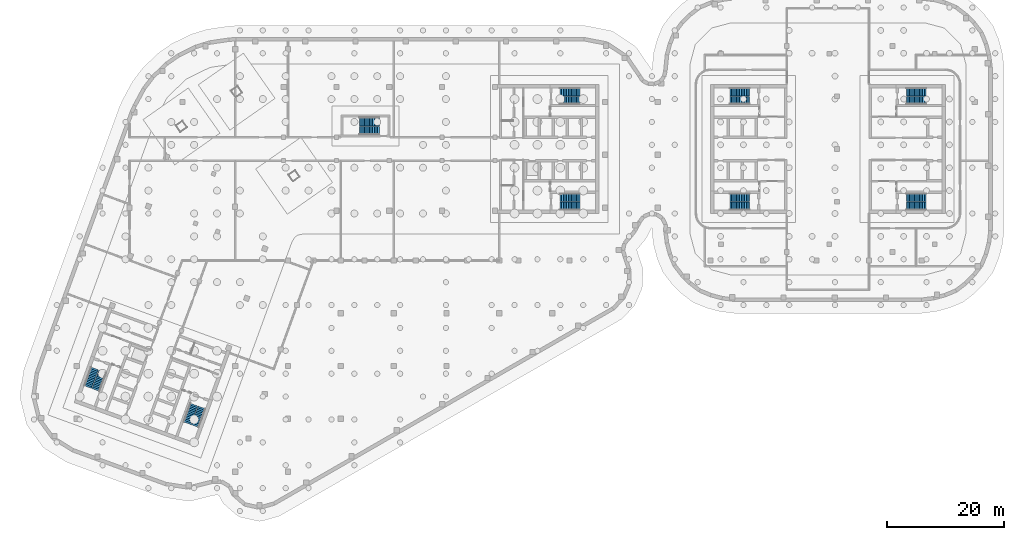
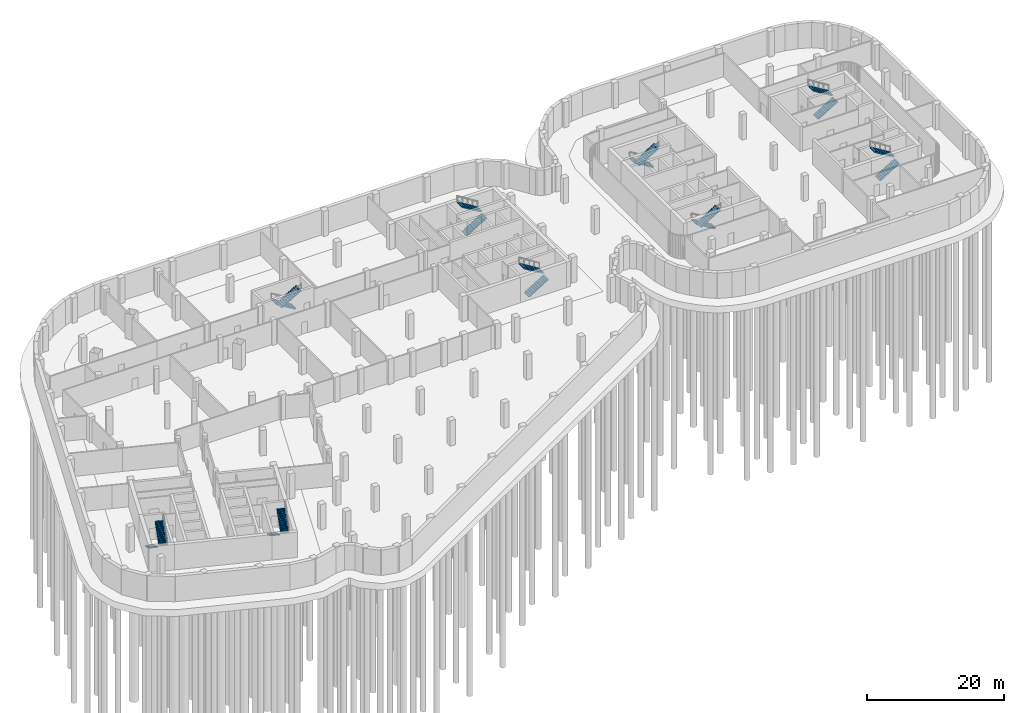
# One storey, part 15 of 18: 18 stair flights, 9 elements without a shape of their own.
"""IFC4 building model written with IfcOpenShell, lengths in metres."""

from ifc_helpers import new_model, si_unit, direction, frame, origin, place, context, subcontext, project, spatial, polyline, outline, extrude, material, type_object, element, aggregate, save


model = new_model("IFC4")

# Units and contexts
model_context = context("Model", 3, precision=1e-05, world=origin(), true_north=direction((0.0, 1.0)))
body_context = subcontext(model_context, "Body", "Model", "MODEL_VIEW")
ifc_project = project(units=[si_unit("LENGTHUNIT", "METRE"), si_unit("AREAUNIT", "SQUARE_METRE"), si_unit("VOLUMEUNIT", "CUBIC_METRE"), si_unit("PLANEANGLEUNIT", "RADIAN"), si_unit("MASSUNIT", "GRAM", prefix="KILO")], contexts=[model_context])

# Site, building, storey
site_placement = place(None, origin())
site = spatial("IfcSite", under=ifc_project, at=site_placement, CompositionType="ELEMENT")
building_placement = place(site_placement, origin())
building = spatial("IfcBuilding", under=site, at=building_placement, Name="Skarvind Civic Tower", CompositionType="ELEMENT")
storey_placement = place(building_placement, frame((0.0, 0.0, -9.0)))
storey = spatial("IfcBuildingStorey", under=building, at=storey_placement, Name="B2", CompositionType="ELEMENT", Elevation=-9.0)

# Stair, stair flights
ifc_material = material(Name="Concrete C40/50", Category="concrete")
stair_type_1 = type_object("IfcStairType", Name="Exit stair 1450, half-turn, concrete", PredefinedType="HALF_TURN_STAIR", material=ifc_material)
stair_1_placement = place(storey_placement, origin())
stair_1 = element("IfcStair", 1, at=stair_1_placement, inside=storey, type_object=stair_type_1, Name="Exit stair CM", PredefinedType="HALF_TURN_STAIR")
stair_flight_type_1 = type_object("IfcStairFlightType", Name="Stair flight 1450, concrete", PredefinedType="STRAIGHT", material=ifc_material)
stair_flight_1_placement = place(storey_placement, frame((70.550048828125, 132.675048828125, 0.0), z_axis=(0.0, 0.0, 1.0), x_axis=(-1.0, 0.0, 0.0)))
stair_flight_1 = element("IfcStairFlight", 2, at=stair_flight_1_placement, type_object=stair_flight_type_1, Name="ST-CM flight 1", NumberOfRisers=13, NumberOfTreads=12, PredefinedType="STRAIGHT", RiserHeight=0.173076923, TreadLength=0.28, context=body_context, shape_type="SweptSolid", body=[
    extrude(outline(polyline([(0.0, 0.0), (0.0, 0.173095703125), (0.280029296875, 0.173095703125), (0.280029296875, 0.34619140625), (0.56005859375, 0.34619140625), (0.56005859375, 0.519287109375), (0.840087890625, 0.519287109375), (0.840087890625, 0.6923828125), (1.1201171875, 0.6923828125), (1.1201171875, 0.865478515625), (1.39990234375, 0.865478515625), (1.39990234375, 1.03857421875), (1.679931640625, 1.03857421875), (1.679931640625, 1.21142578125), (1.9599609375, 1.21142578125), (1.9599609375, 1.384521484375), (2.239990234375, 1.384521484375), (2.239990234375, 1.5576171875), (2.52001953125, 1.5576171875), (2.52001953125, 1.730712890625), (2.800048828125, 1.730712890625), (2.800048828125, 1.90380859375), (3.080078125, 1.90380859375), (3.080078125, 2.076904296875), (3.360107421875, 2.076904296875), (3.360107421875, 2.25), (3.360107421875, 1.900634765625), (0.28515625, 0.0), (0.0, 0.0)])), frame((0.0, 0.72509765625, 0.0), z_axis=(0.0, -1.0, 0.0), x_axis=(1.0, 0.0, 0.0)), (0.0, 0.0, 1.0), 1.449951171875),
])
stair_flight_2_placement = place(storey_placement, frame((67.18994140625, 131.125, 2.25), z_axis=(0.0, 0.0, 1.0), x_axis=(1.0, 0.0, 0.0)))
stair_flight_2 = element("IfcStairFlight", 3, at=stair_flight_2_placement, type_object=stair_flight_type_1, Name="ST-CM flight 2", NumberOfRisers=13, NumberOfTreads=12, PredefinedType="STRAIGHT", RiserHeight=0.173076923, TreadLength=0.28, context=body_context, shape_type="SweptSolid", body=[
    extrude(outline(polyline([(0.0, 0.0), (0.0, 0.173095703125), (0.280029296875, 0.173095703125), (0.280029296875, 0.34619140625), (0.56005859375, 0.34619140625), (0.56005859375, 0.519287109375), (0.840087890625, 0.519287109375), (0.840087890625, 0.6923828125), (1.1201171875, 0.6923828125), (1.1201171875, 0.865478515625), (1.39990234375, 0.865478515625), (1.39990234375, 1.03857421875), (1.679931640625, 1.03857421875), (1.679931640625, 1.21142578125), (1.9599609375, 1.21142578125), (1.9599609375, 1.384521484375), (2.239990234375, 1.384521484375), (2.239990234375, 1.5576171875), (2.52001953125, 1.5576171875), (2.52001953125, 1.730712890625), (2.800048828125, 1.730712890625), (2.800048828125, 1.90380859375), (3.080078125, 1.90380859375), (3.080078125, 2.076904296875), (3.360107421875, 2.076904296875), (3.360107421875, 2.25), (3.360107421875, 1.900634765625), (0.28515625, 0.0), (0.0, 0.0)])), frame((0.0, 0.72509765625, 0.0), z_axis=(0.0, -1.0, 0.0), x_axis=(1.0, 0.0, 0.0)), (0.0, 0.0, 1.0), 1.449951171875),
])
aggregate(stair_1, [stair_flight_1, stair_flight_2])

stair_type_2 = type_object("IfcStairType", Name="Exit stair, half-turn, concrete", PredefinedType="HALF_TURN_STAIR", material=ifc_material)
stair_2_placement = place(storey_placement, origin())
stair_2 = element("IfcStair", 4, at=stair_2_placement, inside=storey, type_object=stair_type_2, Name="Exit stair C1S", PredefinedType="HALF_TURN_STAIR")
stair_flight_type_2 = type_object("IfcStairFlightType", Name="Stair flight, concrete", PredefinedType="STRAIGHT", material=ifc_material)
stair_flight_3_placement = place(storey_placement, frame((101.35009765625, 136.27490234375, 0.0), z_axis=(0.0, 0.0, 1.0), x_axis=(1.0, 0.0, 0.0)))
stair_flight_3 = element("IfcStairFlight", 5, at=stair_flight_3_placement, type_object=stair_flight_type_2, Name="ST-C1S flight 1", NumberOfRisers=13, NumberOfTreads=12, PredefinedType="STRAIGHT", RiserHeight=0.173076923, TreadLength=0.28, context=body_context, shape_type="SweptSolid", body=[
    extrude(outline(polyline([(0.0, 0.0), (0.0, 0.173095703125), (0.280029296875, 0.173095703125), (0.280029296875, 0.34619140625), (0.56005859375, 0.34619140625), (0.56005859375, 0.519287109375), (0.840087890625, 0.519287109375), (0.840087890625, 0.6923828125), (1.1201171875, 0.6923828125), (1.1201171875, 0.865478515625), (1.39990234375, 0.865478515625), (1.39990234375, 1.03857421875), (1.679931640625, 1.03857421875), (1.679931640625, 1.21142578125), (1.9599609375, 1.21142578125), (1.9599609375, 1.384521484375), (2.239990234375, 1.384521484375), (2.239990234375, 1.5576171875), (2.52001953125, 1.5576171875), (2.52001953125, 1.730712890625), (2.800048828125, 1.730712890625), (2.800048828125, 1.90380859375), (3.080078125, 1.90380859375), (3.080078125, 2.076904296875), (3.360107421875, 2.076904296875), (3.360107421875, 2.25), (3.360107421875, 1.900634765625), (0.28515625, 0.0), (0.0, 0.0)])), frame((0.0, 0.675048828125, 0.0), z_axis=(0.0, -1.0, 0.0), x_axis=(1.0, 0.0, 0.0)), (0.0, 0.0, 1.0), 1.35009765625),
])
stair_flight_4_placement = place(storey_placement, frame((104.7099609375, 137.72509765625, 2.25), z_axis=(0.0, 0.0, 1.0), x_axis=(-1.0, 0.0, 0.0)))
stair_flight_4 = element("IfcStairFlight", 6, at=stair_flight_4_placement, type_object=stair_flight_type_2, Name="ST-C1S flight 2", NumberOfRisers=13, NumberOfTreads=12, PredefinedType="STRAIGHT", RiserHeight=0.173076923, TreadLength=0.28, context=body_context, shape_type="SweptSolid", body=[
    extrude(outline(polyline([(0.0, 0.0), (0.0, 0.173095703125), (0.280029296875, 0.173095703125), (0.280029296875, 0.34619140625), (0.56005859375, 0.34619140625), (0.56005859375, 0.519287109375), (0.840087890625, 0.519287109375), (0.840087890625, 0.6923828125), (1.1201171875, 0.6923828125), (1.1201171875, 0.865478515625), (1.39990234375, 0.865478515625), (1.39990234375, 1.03857421875), (1.679931640625, 1.03857421875), (1.679931640625, 1.21142578125), (1.9599609375, 1.21142578125), (1.9599609375, 1.384521484375), (2.239990234375, 1.384521484375), (2.239990234375, 1.5576171875), (2.52001953125, 1.5576171875), (2.52001953125, 1.730712890625), (2.800048828125, 1.730712890625), (2.800048828125, 1.90380859375), (3.080078125, 1.90380859375), (3.080078125, 2.076904296875), (3.360107421875, 2.076904296875), (3.360107421875, 2.25), (3.360107421875, 1.900634765625), (0.28515625, 0.0), (0.0, 0.0)])), frame((0.0, 0.675048828125, 0.0), z_axis=(0.0, -1.0, 0.0), x_axis=(1.0, 0.0, 0.0)), (0.0, 0.0, 1.0), 1.35009765625),
])
aggregate(stair_2, [stair_flight_3, stair_flight_4])

stair_3_placement = place(storey_placement, origin())
stair_3 = element("IfcStair", 7, at=stair_3_placement, inside=storey, type_object=stair_type_2, Name="Exit stair C1N", PredefinedType="HALF_TURN_STAIR")
stair_flight_5_placement = place(storey_placement, frame((101.35009765625, 118.27490234375, 0.0), z_axis=(0.0, 0.0, 1.0), x_axis=(1.0, 0.0, 0.0)))
stair_flight_5 = element("IfcStairFlight", 8, at=stair_flight_5_placement, type_object=stair_flight_type_2, Name="ST-C1N flight 1", NumberOfRisers=13, NumberOfTreads=12, PredefinedType="STRAIGHT", RiserHeight=0.173076923, TreadLength=0.28, context=body_context, shape_type="SweptSolid", body=[
    extrude(outline(polyline([(0.0, 0.0), (0.0, 0.173095703125), (0.280029296875, 0.173095703125), (0.280029296875, 0.34619140625), (0.56005859375, 0.34619140625), (0.56005859375, 0.519287109375), (0.840087890625, 0.519287109375), (0.840087890625, 0.6923828125), (1.1201171875, 0.6923828125), (1.1201171875, 0.865478515625), (1.39990234375, 0.865478515625), (1.39990234375, 1.03857421875), (1.679931640625, 1.03857421875), (1.679931640625, 1.21142578125), (1.9599609375, 1.21142578125), (1.9599609375, 1.384521484375), (2.239990234375, 1.384521484375), (2.239990234375, 1.5576171875), (2.52001953125, 1.5576171875), (2.52001953125, 1.730712890625), (2.800048828125, 1.730712890625), (2.800048828125, 1.90380859375), (3.080078125, 1.90380859375), (3.080078125, 2.076904296875), (3.360107421875, 2.076904296875), (3.360107421875, 2.25), (3.360107421875, 1.900634765625), (0.28515625, 0.0), (0.0, 0.0)])), frame((0.0, 0.675048828125, 0.0), z_axis=(0.0, -1.0, 0.0), x_axis=(1.0, 0.0, 0.0)), (0.0, 0.0, 1.0), 1.35009765625),
])
stair_flight_6_placement = place(storey_placement, frame((104.7099609375, 119.72509765625, 2.25), z_axis=(0.0, 0.0, 1.0), x_axis=(-1.0, 0.0, 0.0)))
stair_flight_6 = element("IfcStairFlight", 9, at=stair_flight_6_placement, type_object=stair_flight_type_2, Name="ST-C1N flight 2", NumberOfRisers=13, NumberOfTreads=12, PredefinedType="STRAIGHT", RiserHeight=0.173076923, TreadLength=0.28, context=body_context, shape_type="SweptSolid", body=[
    extrude(outline(polyline([(0.0, 0.0), (0.0, 0.173095703125), (0.280029296875, 0.173095703125), (0.280029296875, 0.34619140625), (0.56005859375, 0.34619140625), (0.56005859375, 0.519287109375), (0.840087890625, 0.519287109375), (0.840087890625, 0.6923828125), (1.1201171875, 0.6923828125), (1.1201171875, 0.865478515625), (1.39990234375, 0.865478515625), (1.39990234375, 1.03857421875), (1.679931640625, 1.03857421875), (1.679931640625, 1.21142578125), (1.9599609375, 1.21142578125), (1.9599609375, 1.384521484375), (2.239990234375, 1.384521484375), (2.239990234375, 1.5576171875), (2.52001953125, 1.5576171875), (2.52001953125, 1.730712890625), (2.800048828125, 1.730712890625), (2.800048828125, 1.90380859375), (3.080078125, 1.90380859375), (3.080078125, 2.076904296875), (3.360107421875, 2.076904296875), (3.360107421875, 2.25), (3.360107421875, 1.900634765625), (0.28515625, 0.0), (0.0, 0.0)])), frame((0.0, 0.675048828125, 0.0), z_axis=(0.0, -1.0, 0.0), x_axis=(1.0, 0.0, 0.0)), (0.0, 0.0, 1.0), 1.35009765625),
])
aggregate(stair_3, [stair_flight_5, stair_flight_6])

stair_4_placement = place(storey_placement, origin())
stair_4 = element("IfcStair", 10, at=stair_4_placement, inside=storey, type_object=stair_type_2, Name="Exit stair C2S", PredefinedType="HALF_TURN_STAIR")
stair_flight_7_placement = place(storey_placement, frame((38.949462890625, 84.43408203125, 0.0), z_axis=(0.0, 0.0, 1.0), x_axis=(-0.342020143326, -0.939692620786, 0.0)))
stair_flight_7 = element("IfcStairFlight", 11, at=stair_flight_7_placement, type_object=stair_flight_type_2, Name="ST-C2S flight 1", NumberOfRisers=13, NumberOfTreads=12, PredefinedType="STRAIGHT", RiserHeight=0.173076923, TreadLength=0.28, context=body_context, shape_type="SweptSolid", body=[
    extrude(outline(polyline([(0.0, 0.0), (0.0, 0.173095703125), (0.280029296875, 0.173095703125), (0.280029296875, 0.34619140625), (0.56005859375, 0.34619140625), (0.56005859375, 0.519287109375), (0.840087890625, 0.519287109375), (0.840087890625, 0.6923828125), (1.1201171875, 0.6923828125), (1.1201171875, 0.865478515625), (1.39990234375, 0.865478515625), (1.39990234375, 1.03857421875), (1.679931640625, 1.03857421875), (1.679931640625, 1.21142578125), (1.9599609375, 1.21142578125), (1.9599609375, 1.384521484375), (2.239990234375, 1.384521484375), (2.239990234375, 1.5576171875), (2.52001953125, 1.5576171875), (2.52001953125, 1.730712890625), (2.800048828125, 1.730712890625), (2.800048828125, 1.90380859375), (3.080078125, 1.90380859375), (3.080078125, 2.076904296875), (3.360107421875, 2.076904296875), (3.360107421875, 2.25), (3.360107421875, 1.900634765625), (0.28515625, 0.0), (0.0, 0.0)])), frame((0.0, 0.675048828125, 0.0), z_axis=(0.0, -1.0, 0.0), x_axis=(1.0, 0.0, 0.0)), (0.0, 0.0, 1.0), 1.35009765625),
])
stair_flight_8_placement = place(storey_placement, frame((39.162841796875, 80.78076171875, 2.25), z_axis=(0.0, 0.0, 1.0), x_axis=(0.342020143326, 0.939692620786, 0.0)))
stair_flight_8 = element("IfcStairFlight", 12, at=stair_flight_8_placement, type_object=stair_flight_type_2, Name="ST-C2S flight 2", NumberOfRisers=13, NumberOfTreads=12, PredefinedType="STRAIGHT", RiserHeight=0.173076923, TreadLength=0.28, context=body_context, shape_type="SweptSolid", body=[
    extrude(outline(polyline([(0.0, 0.0), (0.0, 0.173095703125), (0.280029296875, 0.173095703125), (0.280029296875, 0.34619140625), (0.56005859375, 0.34619140625), (0.56005859375, 0.519287109375), (0.840087890625, 0.519287109375), (0.840087890625, 0.6923828125), (1.1201171875, 0.6923828125), (1.1201171875, 0.865478515625), (1.39990234375, 0.865478515625), (1.39990234375, 1.03857421875), (1.679931640625, 1.03857421875), (1.679931640625, 1.21142578125), (1.9599609375, 1.21142578125), (1.9599609375, 1.384521484375), (2.239990234375, 1.384521484375), (2.239990234375, 1.5576171875), (2.52001953125, 1.5576171875), (2.52001953125, 1.730712890625), (2.800048828125, 1.730712890625), (2.800048828125, 1.90380859375), (3.080078125, 1.90380859375), (3.080078125, 2.076904296875), (3.360107421875, 2.076904296875), (3.360107421875, 2.25), (3.360107421875, 1.900634765625), (0.28515625, 0.0), (0.0, 0.0)])), frame((0.0, 0.675048828125, 0.0), z_axis=(0.0, -1.0, 0.0), x_axis=(1.0, 0.0, 0.0)), (0.0, 0.0, 1.0), 1.35009765625),
])
aggregate(stair_4, [stair_flight_7, stair_flight_8])

stair_5_placement = place(storey_placement, origin())
stair_5 = element("IfcStair", 13, at=stair_5_placement, inside=storey, type_object=stair_type_2, Name="Exit stair C2N", PredefinedType="HALF_TURN_STAIR")
stair_flight_9_placement = place(storey_placement, frame((22.034912109375, 90.590576171875, 0.0), z_axis=(0.0, 0.0, 1.0), x_axis=(-0.342020143326, -0.939692620786, 0.0)))
stair_flight_9 = element("IfcStairFlight", 14, at=stair_flight_9_placement, type_object=stair_flight_type_2, Name="ST-C2N flight 1", NumberOfRisers=13, NumberOfTreads=12, PredefinedType="STRAIGHT", RiserHeight=0.173076923, TreadLength=0.28, context=body_context, shape_type="SweptSolid", body=[
    extrude(outline(polyline([(0.0, 0.0), (0.0, 0.173095703125), (0.280029296875, 0.173095703125), (0.280029296875, 0.34619140625), (0.56005859375, 0.34619140625), (0.56005859375, 0.519287109375), (0.840087890625, 0.519287109375), (0.840087890625, 0.6923828125), (1.1201171875, 0.6923828125), (1.1201171875, 0.865478515625), (1.39990234375, 0.865478515625), (1.39990234375, 1.03857421875), (1.679931640625, 1.03857421875), (1.679931640625, 1.21142578125), (1.9599609375, 1.21142578125), (1.9599609375, 1.384521484375), (2.239990234375, 1.384521484375), (2.239990234375, 1.5576171875), (2.52001953125, 1.5576171875), (2.52001953125, 1.730712890625), (2.800048828125, 1.730712890625), (2.800048828125, 1.90380859375), (3.080078125, 1.90380859375), (3.080078125, 2.076904296875), (3.360107421875, 2.076904296875), (3.360107421875, 2.25), (3.360107421875, 1.900634765625), (0.28515625, 0.0), (0.0, 0.0)])), frame((0.0, 0.675048828125, 0.0), z_axis=(0.0, -1.0, 0.0), x_axis=(1.0, 0.0, 0.0)), (0.0, 0.0, 1.0), 1.35009765625),
])
stair_flight_10_placement = place(storey_placement, frame((22.248291015625, 86.937255859375, 2.25), z_axis=(0.0, 0.0, 1.0), x_axis=(0.342020143326, 0.939692620786, 0.0)))
stair_flight_10 = element("IfcStairFlight", 15, at=stair_flight_10_placement, type_object=stair_flight_type_2, Name="ST-C2N flight 2", NumberOfRisers=13, NumberOfTreads=12, PredefinedType="STRAIGHT", RiserHeight=0.173076923, TreadLength=0.28, context=body_context, shape_type="SweptSolid", body=[
    extrude(outline(polyline([(0.0, 0.0), (0.0, 0.173095703125), (0.280029296875, 0.173095703125), (0.280029296875, 0.34619140625), (0.56005859375, 0.34619140625), (0.56005859375, 0.519287109375), (0.840087890625, 0.519287109375), (0.840087890625, 0.6923828125), (1.1201171875, 0.6923828125), (1.1201171875, 0.865478515625), (1.39990234375, 0.865478515625), (1.39990234375, 1.03857421875), (1.679931640625, 1.03857421875), (1.679931640625, 1.21142578125), (1.9599609375, 1.21142578125), (1.9599609375, 1.384521484375), (2.239990234375, 1.384521484375), (2.239990234375, 1.5576171875), (2.52001953125, 1.5576171875), (2.52001953125, 1.730712890625), (2.800048828125, 1.730712890625), (2.800048828125, 1.90380859375), (3.080078125, 1.90380859375), (3.080078125, 2.076904296875), (3.360107421875, 2.076904296875), (3.360107421875, 2.25), (3.360107421875, 1.900634765625), (0.28515625, 0.0), (0.0, 0.0)])), frame((0.0, 0.675048828125, 0.0), z_axis=(0.0, -1.0, 0.0), x_axis=(1.0, 0.0, 0.0)), (0.0, 0.0, 1.0), 1.35009765625),
])
aggregate(stair_5, [stair_flight_9, stair_flight_10])

stair_6_placement = place(storey_placement, origin())
stair_6 = element("IfcStair", 16, at=stair_6_placement, inside=storey, type_object=stair_type_2, Name="Exit stair CAS", PredefinedType="HALF_TURN_STAIR")
stair_flight_11_placement = place(storey_placement, frame((133.64990234375, 119.72509765625, 0.0), z_axis=(0.0, 0.0, 1.0), x_axis=(-1.0, 0.0, 0.0)))
stair_flight_11 = element("IfcStairFlight", 17, at=stair_flight_11_placement, type_object=stair_flight_type_2, Name="ST-CAS flight 1", NumberOfRisers=13, NumberOfTreads=12, PredefinedType="STRAIGHT", RiserHeight=0.173076923, TreadLength=0.28, context=body_context, shape_type="SweptSolid", body=[
    extrude(outline(polyline([(0.0, 0.0), (0.0, 0.173095703125), (0.280029296875, 0.173095703125), (0.280029296875, 0.34619140625), (0.56005859375, 0.34619140625), (0.56005859375, 0.519287109375), (0.840087890625, 0.519287109375), (0.840087890625, 0.6923828125), (1.1201171875, 0.6923828125), (1.1201171875, 0.865478515625), (1.39990234375, 0.865478515625), (1.39990234375, 1.03857421875), (1.679931640625, 1.03857421875), (1.679931640625, 1.21142578125), (1.9599609375, 1.21142578125), (1.9599609375, 1.384521484375), (2.239990234375, 1.384521484375), (2.239990234375, 1.5576171875), (2.52001953125, 1.5576171875), (2.52001953125, 1.730712890625), (2.800048828125, 1.730712890625), (2.800048828125, 1.90380859375), (3.080078125, 1.90380859375), (3.080078125, 2.076904296875), (3.360107421875, 2.076904296875), (3.360107421875, 2.25), (3.360107421875, 1.900634765625), (0.28515625, 0.0), (0.0, 0.0)])), frame((0.0, 0.675048828125, 0.0), z_axis=(0.0, -1.0, 0.0), x_axis=(1.0, 0.0, 0.0)), (0.0, 0.0, 1.0), 1.35009765625),
])
stair_flight_12_placement = place(storey_placement, frame((130.2900390625, 118.27490234375, 2.25), z_axis=(0.0, 0.0, 1.0), x_axis=(1.0, 0.0, 0.0)))
stair_flight_12 = element("IfcStairFlight", 18, at=stair_flight_12_placement, type_object=stair_flight_type_2, Name="ST-CAS flight 2", NumberOfRisers=13, NumberOfTreads=12, PredefinedType="STRAIGHT", RiserHeight=0.173076923, TreadLength=0.28, context=body_context, shape_type="SweptSolid", body=[
    extrude(outline(polyline([(0.0, 0.0), (0.0, 0.173095703125), (0.280029296875, 0.173095703125), (0.280029296875, 0.34619140625), (0.56005859375, 0.34619140625), (0.56005859375, 0.519287109375), (0.840087890625, 0.519287109375), (0.840087890625, 0.6923828125), (1.1201171875, 0.6923828125), (1.1201171875, 0.865478515625), (1.39990234375, 0.865478515625), (1.39990234375, 1.03857421875), (1.679931640625, 1.03857421875), (1.679931640625, 1.21142578125), (1.9599609375, 1.21142578125), (1.9599609375, 1.384521484375), (2.239990234375, 1.384521484375), (2.239990234375, 1.5576171875), (2.52001953125, 1.5576171875), (2.52001953125, 1.730712890625), (2.800048828125, 1.730712890625), (2.800048828125, 1.90380859375), (3.080078125, 1.90380859375), (3.080078125, 2.076904296875), (3.360107421875, 2.076904296875), (3.360107421875, 2.25), (3.360107421875, 1.900634765625), (0.28515625, 0.0), (0.0, 0.0)])), frame((0.0, 0.675048828125, 0.0), z_axis=(0.0, -1.0, 0.0), x_axis=(1.0, 0.0, 0.0)), (0.0, 0.0, 1.0), 1.35009765625),
])
aggregate(stair_6, [stair_flight_11, stair_flight_12])

stair_7_placement = place(storey_placement, origin())
stair_7 = element("IfcStair", 19, at=stair_7_placement, inside=storey, type_object=stair_type_2, Name="Exit stair CAN", PredefinedType="HALF_TURN_STAIR")
stair_flight_13_placement = place(storey_placement, frame((133.64990234375, 137.72509765625, 0.0), z_axis=(0.0, 0.0, 1.0), x_axis=(-1.0, 0.0, 0.0)))
stair_flight_13 = element("IfcStairFlight", 20, at=stair_flight_13_placement, type_object=stair_flight_type_2, Name="ST-CAN flight 1", NumberOfRisers=13, NumberOfTreads=12, PredefinedType="STRAIGHT", RiserHeight=0.173076923, TreadLength=0.28, context=body_context, shape_type="SweptSolid", body=[
    extrude(outline(polyline([(0.0, 0.0), (0.0, 0.173095703125), (0.280029296875, 0.173095703125), (0.280029296875, 0.34619140625), (0.56005859375, 0.34619140625), (0.56005859375, 0.519287109375), (0.840087890625, 0.519287109375), (0.840087890625, 0.6923828125), (1.1201171875, 0.6923828125), (1.1201171875, 0.865478515625), (1.39990234375, 0.865478515625), (1.39990234375, 1.03857421875), (1.679931640625, 1.03857421875), (1.679931640625, 1.21142578125), (1.9599609375, 1.21142578125), (1.9599609375, 1.384521484375), (2.239990234375, 1.384521484375), (2.239990234375, 1.5576171875), (2.52001953125, 1.5576171875), (2.52001953125, 1.730712890625), (2.800048828125, 1.730712890625), (2.800048828125, 1.90380859375), (3.080078125, 1.90380859375), (3.080078125, 2.076904296875), (3.360107421875, 2.076904296875), (3.360107421875, 2.25), (3.360107421875, 1.900634765625), (0.28515625, 0.0), (0.0, 0.0)])), frame((0.0, 0.675048828125, 0.0), z_axis=(0.0, -1.0, 0.0), x_axis=(1.0, 0.0, 0.0)), (0.0, 0.0, 1.0), 1.35009765625),
])
stair_flight_14_placement = place(storey_placement, frame((130.2900390625, 136.27490234375, 2.25), z_axis=(0.0, 0.0, 1.0), x_axis=(1.0, 0.0, 0.0)))
stair_flight_14 = element("IfcStairFlight", 21, at=stair_flight_14_placement, type_object=stair_flight_type_2, Name="ST-CAN flight 2", NumberOfRisers=13, NumberOfTreads=12, PredefinedType="STRAIGHT", RiserHeight=0.173076923, TreadLength=0.28, context=body_context, shape_type="SweptSolid", body=[
    extrude(outline(polyline([(0.0, 0.0), (0.0, 0.173095703125), (0.280029296875, 0.173095703125), (0.280029296875, 0.34619140625), (0.56005859375, 0.34619140625), (0.56005859375, 0.519287109375), (0.840087890625, 0.519287109375), (0.840087890625, 0.6923828125), (1.1201171875, 0.6923828125), (1.1201171875, 0.865478515625), (1.39990234375, 0.865478515625), (1.39990234375, 1.03857421875), (1.679931640625, 1.03857421875), (1.679931640625, 1.21142578125), (1.9599609375, 1.21142578125), (1.9599609375, 1.384521484375), (2.239990234375, 1.384521484375), (2.239990234375, 1.5576171875), (2.52001953125, 1.5576171875), (2.52001953125, 1.730712890625), (2.800048828125, 1.730712890625), (2.800048828125, 1.90380859375), (3.080078125, 1.90380859375), (3.080078125, 2.076904296875), (3.360107421875, 2.076904296875), (3.360107421875, 2.25), (3.360107421875, 1.900634765625), (0.28515625, 0.0), (0.0, 0.0)])), frame((0.0, 0.675048828125, 0.0), z_axis=(0.0, -1.0, 0.0), x_axis=(1.0, 0.0, 0.0)), (0.0, 0.0, 1.0), 1.35009765625),
])
aggregate(stair_7, [stair_flight_13, stair_flight_14])

stair_8_placement = place(storey_placement, origin())
stair_8 = element("IfcStair", 22, at=stair_8_placement, inside=storey, type_object=stair_type_2, Name="Exit stair CBS", PredefinedType="HALF_TURN_STAIR")
stair_flight_15_placement = place(storey_placement, frame((160.35009765625, 136.27490234375, 0.0), z_axis=(0.0, 0.0, 1.0), x_axis=(1.0, 0.0, 0.0)))
stair_flight_15 = element("IfcStairFlight", 23, at=stair_flight_15_placement, type_object=stair_flight_type_2, Name="ST-CBS flight 1", NumberOfRisers=13, NumberOfTreads=12, PredefinedType="STRAIGHT", RiserHeight=0.173076923, TreadLength=0.28, context=body_context, shape_type="SweptSolid", body=[
    extrude(outline(polyline([(0.0, 0.0), (0.0, 0.173095703125), (0.280029296875, 0.173095703125), (0.280029296875, 0.34619140625), (0.56005859375, 0.34619140625), (0.56005859375, 0.519287109375), (0.840087890625, 0.519287109375), (0.840087890625, 0.6923828125), (1.1201171875, 0.6923828125), (1.1201171875, 0.865478515625), (1.39990234375, 0.865478515625), (1.39990234375, 1.03857421875), (1.679931640625, 1.03857421875), (1.679931640625, 1.21142578125), (1.9599609375, 1.21142578125), (1.9599609375, 1.384521484375), (2.239990234375, 1.384521484375), (2.239990234375, 1.5576171875), (2.52001953125, 1.5576171875), (2.52001953125, 1.730712890625), (2.800048828125, 1.730712890625), (2.800048828125, 1.90380859375), (3.080078125, 1.90380859375), (3.080078125, 2.076904296875), (3.360107421875, 2.076904296875), (3.360107421875, 2.25), (3.360107421875, 1.900634765625), (0.28515625, 0.0), (0.0, 0.0)])), frame((0.0, 0.675048828125, 0.0), z_axis=(0.0, -1.0, 0.0), x_axis=(1.0, 0.0, 0.0)), (0.0, 0.0, 1.0), 1.35009765625),
])
stair_flight_16_placement = place(storey_placement, frame((163.7099609375, 137.72509765625, 2.25), z_axis=(0.0, 0.0, 1.0), x_axis=(-1.0, 0.0, 0.0)))
stair_flight_16 = element("IfcStairFlight", 24, at=stair_flight_16_placement, type_object=stair_flight_type_2, Name="ST-CBS flight 2", NumberOfRisers=13, NumberOfTreads=12, PredefinedType="STRAIGHT", RiserHeight=0.173076923, TreadLength=0.28, context=body_context, shape_type="SweptSolid", body=[
    extrude(outline(polyline([(0.0, 0.0), (0.0, 0.173095703125), (0.280029296875, 0.173095703125), (0.280029296875, 0.34619140625), (0.56005859375, 0.34619140625), (0.56005859375, 0.519287109375), (0.840087890625, 0.519287109375), (0.840087890625, 0.6923828125), (1.1201171875, 0.6923828125), (1.1201171875, 0.865478515625), (1.39990234375, 0.865478515625), (1.39990234375, 1.03857421875), (1.679931640625, 1.03857421875), (1.679931640625, 1.21142578125), (1.9599609375, 1.21142578125), (1.9599609375, 1.384521484375), (2.239990234375, 1.384521484375), (2.239990234375, 1.5576171875), (2.52001953125, 1.5576171875), (2.52001953125, 1.730712890625), (2.800048828125, 1.730712890625), (2.800048828125, 1.90380859375), (3.080078125, 1.90380859375), (3.080078125, 2.076904296875), (3.360107421875, 2.076904296875), (3.360107421875, 2.25), (3.360107421875, 1.900634765625), (0.28515625, 0.0), (0.0, 0.0)])), frame((0.0, 0.675048828125, 0.0), z_axis=(0.0, -1.0, 0.0), x_axis=(1.0, 0.0, 0.0)), (0.0, 0.0, 1.0), 1.35009765625),
])
aggregate(stair_8, [stair_flight_15, stair_flight_16])

stair_9_placement = place(storey_placement, origin())
stair_9 = element("IfcStair", 25, at=stair_9_placement, inside=storey, type_object=stair_type_2, Name="Exit stair CBN", PredefinedType="HALF_TURN_STAIR")
stair_flight_17_placement = place(storey_placement, frame((160.35009765625, 118.27490234375, 0.0), z_axis=(0.0, 0.0, 1.0), x_axis=(1.0, 0.0, 0.0)))
stair_flight_17 = element("IfcStairFlight", 26, at=stair_flight_17_placement, type_object=stair_flight_type_2, Name="ST-CBN flight 1", NumberOfRisers=13, NumberOfTreads=12, PredefinedType="STRAIGHT", RiserHeight=0.173076923, TreadLength=0.28, context=body_context, shape_type="SweptSolid", body=[
    extrude(outline(polyline([(0.0, 0.0), (0.0, 0.173095703125), (0.280029296875, 0.173095703125), (0.280029296875, 0.34619140625), (0.56005859375, 0.34619140625), (0.56005859375, 0.519287109375), (0.840087890625, 0.519287109375), (0.840087890625, 0.6923828125), (1.1201171875, 0.6923828125), (1.1201171875, 0.865478515625), (1.39990234375, 0.865478515625), (1.39990234375, 1.03857421875), (1.679931640625, 1.03857421875), (1.679931640625, 1.21142578125), (1.9599609375, 1.21142578125), (1.9599609375, 1.384521484375), (2.239990234375, 1.384521484375), (2.239990234375, 1.5576171875), (2.52001953125, 1.5576171875), (2.52001953125, 1.730712890625), (2.800048828125, 1.730712890625), (2.800048828125, 1.90380859375), (3.080078125, 1.90380859375), (3.080078125, 2.076904296875), (3.360107421875, 2.076904296875), (3.360107421875, 2.25), (3.360107421875, 1.900634765625), (0.28515625, 0.0), (0.0, 0.0)])), frame((0.0, 0.675048828125, 0.0), z_axis=(0.0, -1.0, 0.0), x_axis=(1.0, 0.0, 0.0)), (0.0, 0.0, 1.0), 1.35009765625),
])
stair_flight_18_placement = place(storey_placement, frame((163.7099609375, 119.72509765625, 2.25), z_axis=(0.0, 0.0, 1.0), x_axis=(-1.0, 0.0, 0.0)))
stair_flight_18 = element("IfcStairFlight", 27, at=stair_flight_18_placement, type_object=stair_flight_type_2, Name="ST-CBN flight 2", NumberOfRisers=13, NumberOfTreads=12, PredefinedType="STRAIGHT", RiserHeight=0.173076923, TreadLength=0.28, context=body_context, shape_type="SweptSolid", body=[
    extrude(outline(polyline([(0.0, 0.0), (0.0, 0.173095703125), (0.280029296875, 0.173095703125), (0.280029296875, 0.34619140625), (0.56005859375, 0.34619140625), (0.56005859375, 0.519287109375), (0.840087890625, 0.519287109375), (0.840087890625, 0.6923828125), (1.1201171875, 0.6923828125), (1.1201171875, 0.865478515625), (1.39990234375, 0.865478515625), (1.39990234375, 1.03857421875), (1.679931640625, 1.03857421875), (1.679931640625, 1.21142578125), (1.9599609375, 1.21142578125), (1.9599609375, 1.384521484375), (2.239990234375, 1.384521484375), (2.239990234375, 1.5576171875), (2.52001953125, 1.5576171875), (2.52001953125, 1.730712890625), (2.800048828125, 1.730712890625), (2.800048828125, 1.90380859375), (3.080078125, 1.90380859375), (3.080078125, 2.076904296875), (3.360107421875, 2.076904296875), (3.360107421875, 2.25), (3.360107421875, 1.900634765625), (0.28515625, 0.0), (0.0, 0.0)])), frame((0.0, 0.675048828125, 0.0), z_axis=(0.0, -1.0, 0.0), x_axis=(1.0, 0.0, 0.0)), (0.0, 0.0, 1.0), 1.35009765625),
])
aggregate(stair_9, [stair_flight_17, stair_flight_18])

save(model, "model.ifc")
